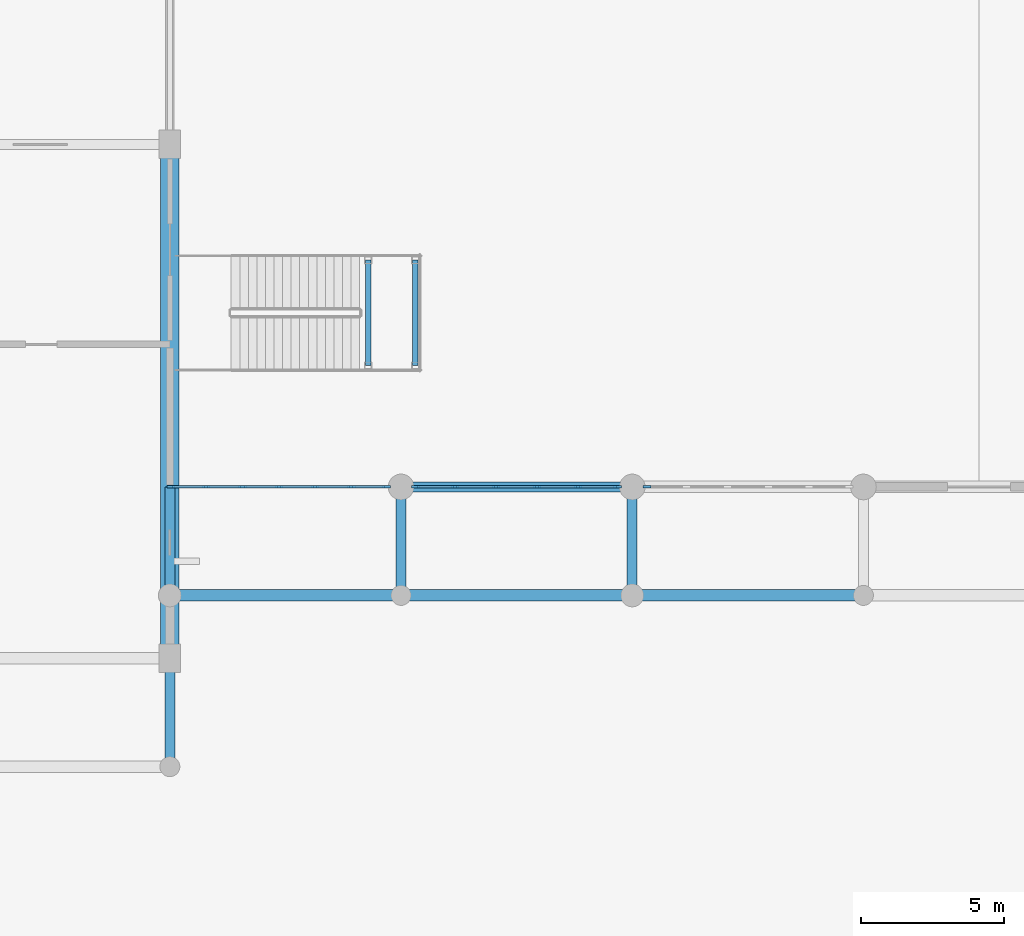
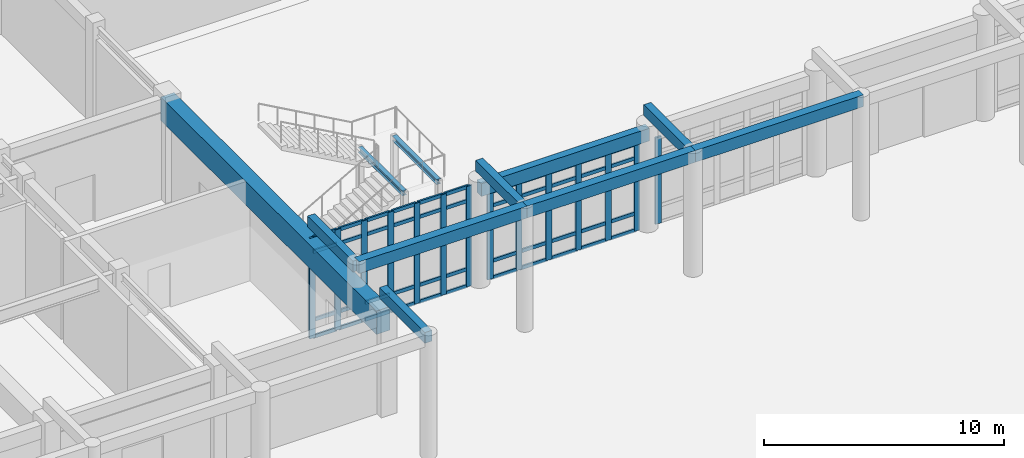
# One storey, part 7 of 62: 58 members, 11 beams, 3 elements without a shape of their own.
"""IFC4 building model written with IfcOpenShell, lengths in metres."""

from ifc_helpers import new_model, si_unit, direction, frame, origin, origin_2d, place, context, subcontext, project, spatial, rectangle, i_section, extrude, material, material_profile, profile_set, type_object, element, aggregate, save


model = new_model("IFC4")

# Units and contexts
model_context = context("Model", 3, precision=1e-05, world=origin(), true_north=direction((0.0, 1.0)))
body_context = subcontext(model_context, "Body", "Model", "MODEL_VIEW")
ifc_project = project(units=[si_unit("LENGTHUNIT", "METRE"), si_unit("AREAUNIT", "SQUARE_METRE"), si_unit("VOLUMEUNIT", "CUBIC_METRE"), si_unit("PLANEANGLEUNIT", "RADIAN"), si_unit("MASSUNIT", "GRAM", prefix="KILO")], contexts=[model_context])

# Site, building, storey
site_placement = place(None, origin())
site = spatial("IfcSite", under=ifc_project, at=site_placement, CompositionType="ELEMENT")
building_placement = place(site_placement, origin())
building = spatial("IfcBuilding", under=site, at=building_placement, Name="Tarnveldt Square Police Headquarters", CompositionType="ELEMENT")
storey_placement = place(building_placement, origin())
storey = spatial("IfcBuildingStorey", under=building, at=storey_placement, Name="L00", CompositionType="ELEMENT", Elevation=0.0)

# Beams
ifc_material_1 = material(Name="Concrete 40 MPa", Category="concrete")
ifc_material_profile_1 = material_profile(ifc_material_1, rectangle(XDim=0.35009765625, YDim=0.550048828125, at=origin_2d()), Name="RC-B350x550")
ifc_profile_set_1 = profile_set([ifc_material_profile_1], Name="Concrete 40 MPa")
beam_type_1 = type_object("IfcBeamType", Name="BM-RC350x550", PredefinedType="BEAM", material=ifc_profile_set_1)
for number, where, z_axis, x_axis, name in (
    (1, (64.800048828125, 12.199951171875, 6.0), (0.0, 1.0, 0.0), (-1.0, 0.0, 0.0), "Colonnade Tie Beam SW-8"),
    (2, (64.800048828125, 18.199951171875, 6.0), (0.0, 1.0, 0.0), (-1.0, 0.0, 0.0), "Colonnade Tie Beam MH-8"),
    (3, (72.89990234375, 18.199951171875, 6.0), (0.0, 1.0, 0.0), (-1.0, 0.0, 0.0), "Colonnade Tie Beam MH-9"),
    (4, (81.0, 18.199951171875, 6.0), (0.0, 1.0, 0.0), (-1.0, 0.0, 0.0), "Colonnade Tie Beam MH-10"),
):
    element("IfcBeam", number, at=place(storey_placement, frame(where, z_axis=z_axis, x_axis=x_axis)), inside=storey, type_object=beam_type_1, Name=name, PredefinedType="BEAM", context=body_context, shape_type="SweptSolid", body=[
        extrude(rectangle(XDim=0.35009765625, YDim=0.550048828125, at=origin_2d()), origin(), (0.0, 0.0, 1.0), 3.800048828125),
    ])
ifc_material_profile_2 = material_profile(ifc_material_1, rectangle(XDim=0.39990234375, YDim=0.60009765625, at=origin_2d()), Name="RC-B400x600")
ifc_profile_set_2 = profile_set([ifc_material_profile_2], Name="Concrete 40 MPa")
beam_type_2 = type_object("IfcBeamType", Name="BM-RC400x600", PredefinedType="BEAM", material=ifc_profile_set_2)
beam_1_placement = place(storey_placement, frame((64.800048828125, 18.199951171875, 6.0), z_axis=(1.0, 0.0, 0.0), x_axis=(0.0, 1.0, 0.0)))
element("IfcBeam", 5, at=beam_1_placement, inside=storey, type_object=beam_type_2, Name="Colonnade Header Beam MH-8", PredefinedType="BEAM", context=body_context, shape_type="SweptSolid", body=[
    extrude(rectangle(XDim=0.39990234375, YDim=0.60009765625, at=origin_2d()), origin(), (0.0, 0.0, 1.0), 8.099853515625),
])
for number, where, z_axis, x_axis, name in (
    (6, (72.89990234375, 18.199951171875, 6.0), (1.0, 0.0, 0.0), (0.0, 1.0, 0.0), "Colonnade Header Beam MH-9"),
    (7, (81.0, 18.199951171875, 6.0), (1.0, 0.0, 0.0), (0.0, 1.0, 0.0), "Colonnade Header Beam MH-10"),
):
    element("IfcBeam", number, at=place(storey_placement, frame(where, z_axis=z_axis, x_axis=x_axis)), inside=storey, type_object=beam_type_2, Name=name, PredefinedType="BEAM", context=body_context, shape_type="SweptSolid", body=[
        extrude(rectangle(XDim=0.39990234375, YDim=0.60009765625, at=origin_2d()), origin(), (0.0, 0.0, 1.0), 8.10009765625),
    ])
ifc_material_2 = material(Name="Concrete 50 MPa", Category="concrete")
ifc_material_profile_3 = material_profile(ifc_material_2, rectangle(XDim=0.64990234375, YDim=1.199951171875, at=origin_2d()), Name="RC-B650x1200")
ifc_profile_set_3 = profile_set([ifc_material_profile_3], Name="Concrete 50 MPa")
beam_type_3 = type_object("IfcBeamType", Name="BM-RC650x1200", PredefinedType="BEAM", material=ifc_profile_set_3)
beam_2_placement = place(storey_placement, frame((64.800048828125, 16.0, 4.52001953125), z_axis=(0.0, 1.0, 0.0), x_axis=(-1.0, 0.0, 0.0)))
element("IfcBeam", 8, at=beam_2_placement, inside=storey, type_object=beam_type_3, Name="L01 Grid Girder Y-0399", PredefinedType="BEAM", context=body_context, shape_type="SweptSolid", body=[
    extrude(rectangle(XDim=0.64990234375, YDim=1.199951171875, at=origin_2d()), origin(), (0.0, 0.0, 1.0), 18.0),
])
ifc_material_profile_4 = material_profile(ifc_material_1, rectangle(XDim=0.35009765625, YDim=0.64990234375, at=origin_2d()), Name="RC-SP350x650")
ifc_profile_set_4 = profile_set([ifc_material_profile_4], Name="Concrete 40 MPa")
beam_type_4 = type_object("IfcBeamType", Name="BM-SP350x650", PredefinedType="SPANDREL", material=ifc_profile_set_4)
beam_3_placement = place(storey_placement, frame((72.89990234375, 22.0, 4.794921875), z_axis=(1.0, 0.0, 0.0), x_axis=(0.0, 1.0, 0.0)))
element("IfcBeam", 9, at=beam_3_placement, inside=storey, type_object=beam_type_4, Name="L01 Grid Girder X-0238", PredefinedType="SPANDREL", context=body_context, shape_type="SweptSolid", body=[
    extrude(rectangle(XDim=0.35009765625, YDim=0.64990234375, at=origin_2d()), origin(), (0.0, 0.0, 1.0), 8.10009765625),
])
ifc_material_3 = material(Name="Steel 350W", Category="steel")
ifc_material_profile_5 = material_profile(ifc_material_3, i_section(OverallWidth=0.202880859375, OverallDepth=0.251953125, WebThickness=0.008056640625, FlangeThickness=0.013427734375, FilletRadius=0.012939453125, at=origin_2d()), Name="W250x58")
ifc_profile_set_5 = profile_set([ifc_material_profile_5], Name="Steel 350W")
beam_type_5 = type_object("IfcBeamType", Name="BM-W250x58", PredefinedType="BEAM", material=ifc_profile_set_5)
for number, where, z_axis, x_axis, name in (
    (10, (73.39990234375, 26.25, 2.3740234375), (0.0, 1.0, 0.0), (-1.0, 0.0, 0.0), "Monumental Stair ST5 East Landing Beam"),
    (11, (71.75, 26.25, 2.3740234375), (0.0, 1.0, 0.0), (-1.0, 0.0, 0.0), "Monumental Stair ST5 West Landing Beam"),
):
    element("IfcBeam", number, at=place(storey_placement, frame(where, z_axis=z_axis, x_axis=x_axis)), inside=storey, type_object=beam_type_5, Name=name, PredefinedType="BEAM", context=body_context, shape_type="SweptSolid", body=[
        extrude(i_section(OverallWidth=0.202880859375, OverallDepth=0.251953125, WebThickness=0.008056640625, FlangeThickness=0.013427734375, FilletRadius=0.012939453125, at=origin_2d()), origin(), (0.0, 0.0, 1.0), 3.699951171875),
    ])

# Curtain wall, members
ifc_material_4 = material(Name="Triple-glazed low-e laminated vision glass", Category="glass")
curtain_wall_type_1 = type_object("IfcCurtainWallType", Name="CW-EH-764x512", PredefinedType="USERDEFINED", material=ifc_material_4)
curtain_wall_1_placement = place(storey_placement, origin())
curtain_wall_1 = element("IfcCurtainWall", 12, at=curtain_wall_1_placement, inside=storey, type_object=curtain_wall_type_1, Name="L00 Curtain Wall CW-L00-001", ObjectType="GLAZED CURTAIN WALL", PredefinedType="USERDEFINED")
ifc_material_5 = material(Name="Thermally broken anodised aluminium 6063-T6", Category="aluminium")
ifc_material_profile_6 = material_profile(ifc_material_5, rectangle(XDim=0.090087890625, YDim=0.280029296875, at=origin_2d()), Name="CW-M90x280")
ifc_profile_set_6 = profile_set([ifc_material_profile_6], Name="Thermally broken anodised aluminium 6063-T6")
member_type_1 = type_object("IfcMemberType", Name="CWM-90x280", PredefinedType="MULLION", material=ifc_profile_set_6)
member_1_placement = place(storey_placement, frame((64.844970703125, 22.0, 0.0), z_axis=(0.0, 0.0, 1.0), x_axis=(0.0, 1.0, 0.0)))
member_1 = element("IfcMember", 13, at=member_1_placement, type_object=member_type_1, Name="CW-EH01 mullion 1", PredefinedType="MULLION", context=body_context, shape_type="SweptSolid", body=[
    extrude(rectangle(XDim=0.090087890625, YDim=0.280029296875, at=origin_2d()), origin(), (0.0, 0.0, 1.0), 5.1201171875),
])
member_2_placement = place(storey_placement, frame((66.072509765625, 22.0, 0.0), z_axis=(0.0, 0.0, 1.0), x_axis=(0.0, 1.0, 0.0)))
member_2 = element("IfcMember", 14, at=member_2_placement, type_object=member_type_1, Name="CW-EH01 mullion 2", PredefinedType="MULLION", context=body_context, shape_type="SweptSolid", body=[
    extrude(rectangle(XDim=0.090087890625, YDim=0.280029296875, at=origin_2d()), origin(), (0.0, 0.0, 1.0), 5.1201171875),
])
member_3_placement = place(storey_placement, frame((67.344970703125, 22.0, 0.0), z_axis=(0.0, 0.0, 1.0), x_axis=(0.0, 1.0, 0.0)))
member_3 = element("IfcMember", 15, at=member_3_placement, type_object=member_type_1, Name="CW-EH01 mullion 3", PredefinedType="MULLION", context=body_context, shape_type="SweptSolid", body=[
    extrude(rectangle(XDim=0.090087890625, YDim=0.280029296875, at=origin_2d()), origin(), (0.0, 0.0, 1.0), 5.1201171875),
])
member_4_placement = place(storey_placement, frame((68.617431640625, 22.0, 0.0), z_axis=(0.0, 0.0, 1.0), x_axis=(0.0, 1.0, 0.0)))
member_4 = element("IfcMember", 16, at=member_4_placement, type_object=member_type_1, Name="CW-EH01 mullion 4", PredefinedType="MULLION", context=body_context, shape_type="SweptSolid", body=[
    extrude(rectangle(XDim=0.090087890625, YDim=0.280029296875, at=origin_2d()), origin(), (0.0, 0.0, 1.0), 5.1201171875),
])
member_5_placement = place(storey_placement, frame((69.889892578125, 22.0, 0.0), z_axis=(0.0, 0.0, 1.0), x_axis=(0.0, 1.0, 0.0)))
member_5 = element("IfcMember", 17, at=member_5_placement, type_object=member_type_1, Name="CW-EH01 mullion 5", PredefinedType="MULLION", context=body_context, shape_type="SweptSolid", body=[
    extrude(rectangle(XDim=0.090087890625, YDim=0.280029296875, at=origin_2d()), origin(), (0.0, 0.0, 1.0), 5.1201171875),
])
member_6_placement = place(storey_placement, frame((71.16259765625, 22.0, 0.0), z_axis=(0.0, 0.0, 1.0), x_axis=(0.0, 1.0, 0.0)))
member_6 = element("IfcMember", 18, at=member_6_placement, type_object=member_type_1, Name="CW-EH01 mullion 6", PredefinedType="MULLION", context=body_context, shape_type="SweptSolid", body=[
    extrude(rectangle(XDim=0.090087890625, YDim=0.280029296875, at=origin_2d()), origin(), (0.0, 0.0, 1.0), 5.1201171875),
])
member_7_placement = place(storey_placement, frame((72.389892578125, 22.0, 0.0), z_axis=(0.0, 0.0, 1.0), x_axis=(0.0, 1.0, 0.0)))
member_7 = element("IfcMember", 19, at=member_7_placement, type_object=member_type_1, Name="CW-EH01 mullion 7", PredefinedType="MULLION", context=body_context, shape_type="SweptSolid", body=[
    extrude(rectangle(XDim=0.090087890625, YDim=0.280029296875, at=origin_2d()), origin(), (0.0, 0.0, 1.0), 5.1201171875),
])

curtain_wall_type_2 = type_object("IfcCurtainWallType", Name="CW-EH-717x446", PredefinedType="USERDEFINED", material=ifc_material_4)
curtain_wall_2_placement = place(storey_placement, origin())
curtain_wall_2 = element("IfcCurtainWall", 20, at=curtain_wall_2_placement, inside=storey, type_object=curtain_wall_type_2, Name="L00 Curtain Wall CW-L00-002", ObjectType="GLAZED CURTAIN WALL", PredefinedType="USERDEFINED")
member_8_placement = place(storey_placement, frame((73.409912109375, 22.0, 0.0), z_axis=(0.0, 0.0, 1.0), x_axis=(0.0, 1.0, 0.0)))
member_8 = element("IfcMember", 21, at=member_8_placement, type_object=member_type_1, Name="CW-EH02 mullion 1", PredefinedType="MULLION", context=body_context, shape_type="SweptSolid", body=[
    extrude(rectangle(XDim=0.090087890625, YDim=0.280029296875, at=origin_2d()), origin(), (0.0, 0.0, 1.0), 4.4619140625),
])
member_9_placement = place(storey_placement, frame((74.799072265625, 22.0, 0.0), z_axis=(0.0, 0.0, 1.0), x_axis=(0.0, 1.0, 0.0)))
member_9 = element("IfcMember", 22, at=member_9_placement, type_object=member_type_1, Name="CW-EH02 mullion 2", PredefinedType="MULLION", context=body_context, shape_type="SweptSolid", body=[
    extrude(rectangle(XDim=0.090087890625, YDim=0.280029296875, at=origin_2d()), origin(), (0.0, 0.0, 1.0), 4.4619140625),
])
member_10_placement = place(storey_placement, frame((76.23291015625, 22.0, 0.0), z_axis=(0.0, 0.0, 1.0), x_axis=(0.0, 1.0, 0.0)))
member_10 = element("IfcMember", 23, at=member_10_placement, type_object=member_type_1, Name="CW-EH02 mullion 3", PredefinedType="MULLION", context=body_context, shape_type="SweptSolid", body=[
    extrude(rectangle(XDim=0.090087890625, YDim=0.280029296875, at=origin_2d()), origin(), (0.0, 0.0, 1.0), 4.4619140625),
])
member_11_placement = place(storey_placement, frame((77.6669921875, 22.0, 0.0), z_axis=(0.0, 0.0, 1.0), x_axis=(0.0, 1.0, 0.0)))
member_11 = element("IfcMember", 24, at=member_11_placement, type_object=member_type_1, Name="CW-EH02 mullion 4", PredefinedType="MULLION", context=body_context, shape_type="SweptSolid", body=[
    extrude(rectangle(XDim=0.090087890625, YDim=0.280029296875, at=origin_2d()), origin(), (0.0, 0.0, 1.0), 4.4619140625),
])
member_12_placement = place(storey_placement, frame((79.10107421875, 22.0, 0.0), z_axis=(0.0, 0.0, 1.0), x_axis=(0.0, 1.0, 0.0)))
member_12 = element("IfcMember", 25, at=member_12_placement, type_object=member_type_1, Name="CW-EH02 mullion 5", PredefinedType="MULLION", context=body_context, shape_type="SweptSolid", body=[
    extrude(rectangle(XDim=0.090087890625, YDim=0.280029296875, at=origin_2d()), origin(), (0.0, 0.0, 1.0), 4.4619140625),
])
member_13_placement = place(storey_placement, frame((80.489990234375, 22.0, 0.0), z_axis=(0.0, 0.0, 1.0), x_axis=(0.0, 1.0, 0.0)))
member_13 = element("IfcMember", 26, at=member_13_placement, type_object=member_type_1, Name="CW-EH02 mullion 6", PredefinedType="MULLION", context=body_context, shape_type="SweptSolid", body=[
    extrude(rectangle(XDim=0.090087890625, YDim=0.280029296875, at=origin_2d()), origin(), (0.0, 0.0, 1.0), 4.4619140625),
])

# Curtain wall, member
curtain_wall_type_3 = type_object("IfcCurtainWallType", Name="CW-EH-717x441", PredefinedType="USERDEFINED", material=ifc_material_4)
curtain_wall_3_placement = place(storey_placement, origin())
curtain_wall_3 = element("IfcCurtainWall", 27, at=curtain_wall_3_placement, inside=storey, type_object=curtain_wall_type_3, Name="L00 Curtain Wall CW-L00-003", ObjectType="GLAZED CURTAIN WALL", PredefinedType="USERDEFINED")
member_14_placement = place(storey_placement, frame((81.510009765625, 22.0, 0.0), z_axis=(0.0, 0.0, 1.0), x_axis=(0.0, 1.0, 0.0)))
member_14 = element("IfcMember", 28, at=member_14_placement, type_object=member_type_1, Name="CW-EH03 mullion 1", PredefinedType="MULLION", context=body_context, shape_type="SweptSolid", body=[
    extrude(rectangle(XDim=0.090087890625, YDim=0.280029296875, at=origin_2d()), origin(), (0.0, 0.0, 1.0), 4.412109375),
])
aggregate(curtain_wall_3, [member_14])

# Member
ifc_material_profile_7 = material_profile(ifc_material_5, rectangle(XDim=0.0849609375, YDim=0.179931640625, at=origin_2d()), Name="CW-T85x180")
ifc_profile_set_7 = profile_set([ifc_material_profile_7], Name="Thermally broken anodised aluminium 6063-T6")
member_type_2 = type_object("IfcMemberType", Name="CWT-85x180", PredefinedType="USERDEFINED", material=ifc_profile_set_7)
member_15_placement = place(storey_placement, frame((64.889892578125, 22.0, 0.04248046875), z_axis=(1.0, 0.0, 0.0), x_axis=(0.0, 1.0, 0.0)))
member_15 = element("IfcMember", 29, at=member_15_placement, type_object=member_type_2, Name="CW-EH01 transom 1.1", ObjectType="TRANSOM", PredefinedType="USERDEFINED", context=body_context, shape_type="SweptSolid", body=[
    extrude(rectangle(XDim=0.0849609375, YDim=0.179931640625, at=origin_2d()), origin(), (0.0, 0.0, 1.0), 1.1376953125),
])

member_16_placement = place(storey_placement, frame((64.889892578125, 22.0, 0.89990234375), z_axis=(1.0, 0.0, 0.0), x_axis=(0.0, 1.0, 0.0)))
member_16 = element("IfcMember", 30, at=member_16_placement, type_object=member_type_2, Name="CW-EH01 transom 1.2", ObjectType="TRANSOM", PredefinedType="USERDEFINED", context=body_context, shape_type="SweptSolid", body=[
    extrude(rectangle(XDim=0.0849609375, YDim=0.179931640625, at=origin_2d()), origin(), (0.0, 0.0, 1.0), 1.1376953125),
])

member_17_placement = place(storey_placement, frame((64.889892578125, 22.0, 4.3701171875), z_axis=(1.0, 0.0, 0.0), x_axis=(0.0, 1.0, 0.0)))
member_17 = element("IfcMember", 31, at=member_17_placement, type_object=member_type_2, Name="CW-EH01 transom 1.3", ObjectType="TRANSOM", PredefinedType="USERDEFINED", context=body_context, shape_type="SweptSolid", body=[
    extrude(rectangle(XDim=0.0849609375, YDim=0.179931640625, at=origin_2d()), origin(), (0.0, 0.0, 1.0), 1.1376953125),
])

member_18_placement = place(storey_placement, frame((64.889892578125, 22.0, 5.077392578125), z_axis=(1.0, 0.0, 0.0), x_axis=(0.0, 1.0, 0.0)))
member_18 = element("IfcMember", 32, at=member_18_placement, type_object=member_type_2, Name="CW-EH01 transom 1.4", ObjectType="TRANSOM", PredefinedType="USERDEFINED", context=body_context, shape_type="SweptSolid", body=[
    extrude(rectangle(XDim=0.0849609375, YDim=0.179931640625, at=origin_2d()), origin(), (0.0, 0.0, 1.0), 1.1376953125),
])

member_19_placement = place(storey_placement, frame((66.117431640625, 22.0, 0.04248046875), z_axis=(1.0, 0.0, 0.0), x_axis=(0.0, 1.0, 0.0)))
member_19 = element("IfcMember", 33, at=member_19_placement, type_object=member_type_2, Name="CW-EH01 transom 2.1", ObjectType="TRANSOM", PredefinedType="USERDEFINED", context=body_context, shape_type="SweptSolid", body=[
    extrude(rectangle(XDim=0.0849609375, YDim=0.179931640625, at=origin_2d()), origin(), (0.0, 0.0, 1.0), 1.1826171875),
])

member_20_placement = place(storey_placement, frame((66.117431640625, 22.0, 0.89990234375), z_axis=(1.0, 0.0, 0.0), x_axis=(0.0, 1.0, 0.0)))
member_20 = element("IfcMember", 34, at=member_20_placement, type_object=member_type_2, Name="CW-EH01 transom 2.2", ObjectType="TRANSOM", PredefinedType="USERDEFINED", context=body_context, shape_type="SweptSolid", body=[
    extrude(rectangle(XDim=0.0849609375, YDim=0.179931640625, at=origin_2d()), origin(), (0.0, 0.0, 1.0), 1.1826171875),
])

member_21_placement = place(storey_placement, frame((66.117431640625, 22.0, 4.3701171875), z_axis=(1.0, 0.0, 0.0), x_axis=(0.0, 1.0, 0.0)))
member_21 = element("IfcMember", 35, at=member_21_placement, type_object=member_type_2, Name="CW-EH01 transom 2.3", ObjectType="TRANSOM", PredefinedType="USERDEFINED", context=body_context, shape_type="SweptSolid", body=[
    extrude(rectangle(XDim=0.0849609375, YDim=0.179931640625, at=origin_2d()), origin(), (0.0, 0.0, 1.0), 1.1826171875),
])

member_22_placement = place(storey_placement, frame((66.117431640625, 22.0, 5.077392578125), z_axis=(1.0, 0.0, 0.0), x_axis=(0.0, 1.0, 0.0)))
member_22 = element("IfcMember", 36, at=member_22_placement, type_object=member_type_2, Name="CW-EH01 transom 2.4", ObjectType="TRANSOM", PredefinedType="USERDEFINED", context=body_context, shape_type="SweptSolid", body=[
    extrude(rectangle(XDim=0.0849609375, YDim=0.179931640625, at=origin_2d()), origin(), (0.0, 0.0, 1.0), 1.1826171875),
])

member_23_placement = place(storey_placement, frame((67.389892578125, 22.0, 0.04248046875), z_axis=(1.0, 0.0, 0.0), x_axis=(0.0, 1.0, 0.0)))
member_23 = element("IfcMember", 37, at=member_23_placement, type_object=member_type_2, Name="CW-EH01 transom 3.1", ObjectType="TRANSOM", PredefinedType="USERDEFINED", context=body_context, shape_type="SweptSolid", body=[
    extrude(rectangle(XDim=0.0849609375, YDim=0.179931640625, at=origin_2d()), origin(), (0.0, 0.0, 1.0), 1.1826171875),
])

member_24_placement = place(storey_placement, frame((67.389892578125, 22.0, 0.89990234375), z_axis=(1.0, 0.0, 0.0), x_axis=(0.0, 1.0, 0.0)))
member_24 = element("IfcMember", 38, at=member_24_placement, type_object=member_type_2, Name="CW-EH01 transom 3.2", ObjectType="TRANSOM", PredefinedType="USERDEFINED", context=body_context, shape_type="SweptSolid", body=[
    extrude(rectangle(XDim=0.0849609375, YDim=0.179931640625, at=origin_2d()), origin(), (0.0, 0.0, 1.0), 1.1826171875),
])

member_25_placement = place(storey_placement, frame((67.389892578125, 22.0, 4.3701171875), z_axis=(1.0, 0.0, 0.0), x_axis=(0.0, 1.0, 0.0)))
member_25 = element("IfcMember", 39, at=member_25_placement, type_object=member_type_2, Name="CW-EH01 transom 3.3", ObjectType="TRANSOM", PredefinedType="USERDEFINED", context=body_context, shape_type="SweptSolid", body=[
    extrude(rectangle(XDim=0.0849609375, YDim=0.179931640625, at=origin_2d()), origin(), (0.0, 0.0, 1.0), 1.1826171875),
])

member_26_placement = place(storey_placement, frame((67.389892578125, 22.0, 5.077392578125), z_axis=(1.0, 0.0, 0.0), x_axis=(0.0, 1.0, 0.0)))
member_26 = element("IfcMember", 40, at=member_26_placement, type_object=member_type_2, Name="CW-EH01 transom 3.4", ObjectType="TRANSOM", PredefinedType="USERDEFINED", context=body_context, shape_type="SweptSolid", body=[
    extrude(rectangle(XDim=0.0849609375, YDim=0.179931640625, at=origin_2d()), origin(), (0.0, 0.0, 1.0), 1.1826171875),
])

member_27_placement = place(storey_placement, frame((68.66259765625, 22.0, 0.04248046875), z_axis=(1.0, 0.0, 0.0), x_axis=(0.0, 1.0, 0.0)))
member_27 = element("IfcMember", 41, at=member_27_placement, type_object=member_type_2, Name="CW-EH01 transom 4.1", ObjectType="TRANSOM", PredefinedType="USERDEFINED", context=body_context, shape_type="SweptSolid", body=[
    extrude(rectangle(XDim=0.0849609375, YDim=0.179931640625, at=origin_2d()), origin(), (0.0, 0.0, 1.0), 1.182373046875),
])

member_28_placement = place(storey_placement, frame((68.66259765625, 22.0, 0.89990234375), z_axis=(1.0, 0.0, 0.0), x_axis=(0.0, 1.0, 0.0)))
member_28 = element("IfcMember", 42, at=member_28_placement, type_object=member_type_2, Name="CW-EH01 transom 4.2", ObjectType="TRANSOM", PredefinedType="USERDEFINED", context=body_context, shape_type="SweptSolid", body=[
    extrude(rectangle(XDim=0.0849609375, YDim=0.179931640625, at=origin_2d()), origin(), (0.0, 0.0, 1.0), 1.182373046875),
])

member_29_placement = place(storey_placement, frame((68.66259765625, 22.0, 4.3701171875), z_axis=(1.0, 0.0, 0.0), x_axis=(0.0, 1.0, 0.0)))
member_29 = element("IfcMember", 43, at=member_29_placement, type_object=member_type_2, Name="CW-EH01 transom 4.3", ObjectType="TRANSOM", PredefinedType="USERDEFINED", context=body_context, shape_type="SweptSolid", body=[
    extrude(rectangle(XDim=0.0849609375, YDim=0.179931640625, at=origin_2d()), origin(), (0.0, 0.0, 1.0), 1.182373046875),
])

member_30_placement = place(storey_placement, frame((68.66259765625, 22.0, 5.077392578125), z_axis=(1.0, 0.0, 0.0), x_axis=(0.0, 1.0, 0.0)))
member_30 = element("IfcMember", 44, at=member_30_placement, type_object=member_type_2, Name="CW-EH01 transom 4.4", ObjectType="TRANSOM", PredefinedType="USERDEFINED", context=body_context, shape_type="SweptSolid", body=[
    extrude(rectangle(XDim=0.0849609375, YDim=0.179931640625, at=origin_2d()), origin(), (0.0, 0.0, 1.0), 1.182373046875),
])

member_31_placement = place(storey_placement, frame((69.93505859375, 22.0, 0.04248046875), z_axis=(1.0, 0.0, 0.0), x_axis=(0.0, 1.0, 0.0)))
member_31 = element("IfcMember", 45, at=member_31_placement, type_object=member_type_2, Name="CW-EH01 transom 5.1", ObjectType="TRANSOM", PredefinedType="USERDEFINED", context=body_context, shape_type="SweptSolid", body=[
    extrude(rectangle(XDim=0.0849609375, YDim=0.179931640625, at=origin_2d()), origin(), (0.0, 0.0, 1.0), 1.182373046875),
])

member_32_placement = place(storey_placement, frame((69.93505859375, 22.0, 0.89990234375), z_axis=(1.0, 0.0, 0.0), x_axis=(0.0, 1.0, 0.0)))
member_32 = element("IfcMember", 46, at=member_32_placement, type_object=member_type_2, Name="CW-EH01 transom 5.2", ObjectType="TRANSOM", PredefinedType="USERDEFINED", context=body_context, shape_type="SweptSolid", body=[
    extrude(rectangle(XDim=0.0849609375, YDim=0.179931640625, at=origin_2d()), origin(), (0.0, 0.0, 1.0), 1.182373046875),
])

member_33_placement = place(storey_placement, frame((69.93505859375, 22.0, 4.3701171875), z_axis=(1.0, 0.0, 0.0), x_axis=(0.0, 1.0, 0.0)))
member_33 = element("IfcMember", 47, at=member_33_placement, type_object=member_type_2, Name="CW-EH01 transom 5.3", ObjectType="TRANSOM", PredefinedType="USERDEFINED", context=body_context, shape_type="SweptSolid", body=[
    extrude(rectangle(XDim=0.0849609375, YDim=0.179931640625, at=origin_2d()), origin(), (0.0, 0.0, 1.0), 1.182373046875),
])

member_34_placement = place(storey_placement, frame((69.93505859375, 22.0, 5.077392578125), z_axis=(1.0, 0.0, 0.0), x_axis=(0.0, 1.0, 0.0)))
member_34 = element("IfcMember", 48, at=member_34_placement, type_object=member_type_2, Name="CW-EH01 transom 5.4", ObjectType="TRANSOM", PredefinedType="USERDEFINED", context=body_context, shape_type="SweptSolid", body=[
    extrude(rectangle(XDim=0.0849609375, YDim=0.179931640625, at=origin_2d()), origin(), (0.0, 0.0, 1.0), 1.182373046875),
])

member_35_placement = place(storey_placement, frame((71.20751953125, 22.0, 0.04248046875), z_axis=(1.0, 0.0, 0.0), x_axis=(0.0, 1.0, 0.0)))
member_35 = element("IfcMember", 49, at=member_35_placement, type_object=member_type_2, Name="CW-EH01 transom 6.1", ObjectType="TRANSOM", PredefinedType="USERDEFINED", context=body_context, shape_type="SweptSolid", body=[
    extrude(rectangle(XDim=0.0849609375, YDim=0.179931640625, at=origin_2d()), origin(), (0.0, 0.0, 1.0), 1.137451171875),
])

member_36_placement = place(storey_placement, frame((71.20751953125, 22.0, 0.89990234375), z_axis=(1.0, 0.0, 0.0), x_axis=(0.0, 1.0, 0.0)))
member_36 = element("IfcMember", 50, at=member_36_placement, type_object=member_type_2, Name="CW-EH01 transom 6.2", ObjectType="TRANSOM", PredefinedType="USERDEFINED", context=body_context, shape_type="SweptSolid", body=[
    extrude(rectangle(XDim=0.0849609375, YDim=0.179931640625, at=origin_2d()), origin(), (0.0, 0.0, 1.0), 1.137451171875),
])

member_37_placement = place(storey_placement, frame((71.20751953125, 22.0, 4.3701171875), z_axis=(1.0, 0.0, 0.0), x_axis=(0.0, 1.0, 0.0)))
member_37 = element("IfcMember", 51, at=member_37_placement, type_object=member_type_2, Name="CW-EH01 transom 6.3", ObjectType="TRANSOM", PredefinedType="USERDEFINED", context=body_context, shape_type="SweptSolid", body=[
    extrude(rectangle(XDim=0.0849609375, YDim=0.179931640625, at=origin_2d()), origin(), (0.0, 0.0, 1.0), 1.137451171875),
])

member_38_placement = place(storey_placement, frame((71.20751953125, 22.0, 5.077392578125), z_axis=(1.0, 0.0, 0.0), x_axis=(0.0, 1.0, 0.0)))
member_38 = element("IfcMember", 52, at=member_38_placement, type_object=member_type_2, Name="CW-EH01 transom 6.4", ObjectType="TRANSOM", PredefinedType="USERDEFINED", context=body_context, shape_type="SweptSolid", body=[
    extrude(rectangle(XDim=0.0849609375, YDim=0.179931640625, at=origin_2d()), origin(), (0.0, 0.0, 1.0), 1.137451171875),
])

aggregate(curtain_wall_1, [member_1, member_2, member_3, member_4, member_5, member_6, member_7, member_15, member_16, member_17, member_18, member_19, member_20, member_21, member_22, member_23, member_24, member_25, member_26, member_27, member_28, member_29, member_30, member_31, member_32, member_33, member_34, member_35, member_36, member_37, member_38])

member_39_placement = place(storey_placement, frame((73.455078125, 22.0, 0.04248046875), z_axis=(1.0, 0.0, 0.0), x_axis=(0.0, 1.0, 0.0)))
member_39 = element("IfcMember", 53, at=member_39_placement, type_object=member_type_2, Name="CW-EH02 transom 1.1", ObjectType="TRANSOM", PredefinedType="USERDEFINED", context=body_context, shape_type="SweptSolid", body=[
    extrude(rectangle(XDim=0.0849609375, YDim=0.179931640625, at=origin_2d()), origin(), (0.0, 0.0, 1.0), 1.298828125),
])

member_40_placement = place(storey_placement, frame((73.455078125, 22.0, 0.89990234375), z_axis=(1.0, 0.0, 0.0), x_axis=(0.0, 1.0, 0.0)))
member_40 = element("IfcMember", 54, at=member_40_placement, type_object=member_type_2, Name="CW-EH02 transom 1.2", ObjectType="TRANSOM", PredefinedType="USERDEFINED", context=body_context, shape_type="SweptSolid", body=[
    extrude(rectangle(XDim=0.0849609375, YDim=0.179931640625, at=origin_2d()), origin(), (0.0, 0.0, 1.0), 1.298828125),
])

member_41_placement = place(storey_placement, frame((73.455078125, 22.0, 3.7119140625), z_axis=(1.0, 0.0, 0.0), x_axis=(0.0, 1.0, 0.0)))
member_41 = element("IfcMember", 55, at=member_41_placement, type_object=member_type_2, Name="CW-EH02 transom 1.3", ObjectType="TRANSOM", PredefinedType="USERDEFINED", context=body_context, shape_type="SweptSolid", body=[
    extrude(rectangle(XDim=0.0849609375, YDim=0.179931640625, at=origin_2d()), origin(), (0.0, 0.0, 1.0), 1.298828125),
])

member_42_placement = place(storey_placement, frame((73.455078125, 22.0, 4.41943359375), z_axis=(1.0, 0.0, 0.0), x_axis=(0.0, 1.0, 0.0)))
member_42 = element("IfcMember", 56, at=member_42_placement, type_object=member_type_2, Name="CW-EH02 transom 1.4", ObjectType="TRANSOM", PredefinedType="USERDEFINED", context=body_context, shape_type="SweptSolid", body=[
    extrude(rectangle(XDim=0.0849609375, YDim=0.179931640625, at=origin_2d()), origin(), (0.0, 0.0, 1.0), 1.298828125),
])

member_43_placement = place(storey_placement, frame((74.843994140625, 22.0, 0.04248046875), z_axis=(1.0, 0.0, 0.0), x_axis=(0.0, 1.0, 0.0)))
member_43 = element("IfcMember", 57, at=member_43_placement, type_object=member_type_2, Name="CW-EH02 transom 2.1", ObjectType="TRANSOM", PredefinedType="USERDEFINED", context=body_context, shape_type="SweptSolid", body=[
    extrude(rectangle(XDim=0.0849609375, YDim=0.179931640625, at=origin_2d()), origin(), (0.0, 0.0, 1.0), 1.343994140625),
])

member_44_placement = place(storey_placement, frame((74.843994140625, 22.0, 0.89990234375), z_axis=(1.0, 0.0, 0.0), x_axis=(0.0, 1.0, 0.0)))
member_44 = element("IfcMember", 58, at=member_44_placement, type_object=member_type_2, Name="CW-EH02 transom 2.2", ObjectType="TRANSOM", PredefinedType="USERDEFINED", context=body_context, shape_type="SweptSolid", body=[
    extrude(rectangle(XDim=0.0849609375, YDim=0.179931640625, at=origin_2d()), origin(), (0.0, 0.0, 1.0), 1.343994140625),
])

member_45_placement = place(storey_placement, frame((74.843994140625, 22.0, 3.7119140625), z_axis=(1.0, 0.0, 0.0), x_axis=(0.0, 1.0, 0.0)))
member_45 = element("IfcMember", 59, at=member_45_placement, type_object=member_type_2, Name="CW-EH02 transom 2.3", ObjectType="TRANSOM", PredefinedType="USERDEFINED", context=body_context, shape_type="SweptSolid", body=[
    extrude(rectangle(XDim=0.0849609375, YDim=0.179931640625, at=origin_2d()), origin(), (0.0, 0.0, 1.0), 1.343994140625),
])

member_46_placement = place(storey_placement, frame((74.843994140625, 22.0, 4.41943359375), z_axis=(1.0, 0.0, 0.0), x_axis=(0.0, 1.0, 0.0)))
member_46 = element("IfcMember", 60, at=member_46_placement, type_object=member_type_2, Name="CW-EH02 transom 2.4", ObjectType="TRANSOM", PredefinedType="USERDEFINED", context=body_context, shape_type="SweptSolid", body=[
    extrude(rectangle(XDim=0.0849609375, YDim=0.179931640625, at=origin_2d()), origin(), (0.0, 0.0, 1.0), 1.343994140625),
])

member_47_placement = place(storey_placement, frame((76.278076171875, 22.0, 0.04248046875), z_axis=(1.0, 0.0, 0.0), x_axis=(0.0, 1.0, 0.0)))
member_47 = element("IfcMember", 61, at=member_47_placement, type_object=member_type_2, Name="CW-EH02 transom 3.1", ObjectType="TRANSOM", PredefinedType="USERDEFINED", context=body_context, shape_type="SweptSolid", body=[
    extrude(rectangle(XDim=0.0849609375, YDim=0.179931640625, at=origin_2d()), origin(), (0.0, 0.0, 1.0), 1.343994140625),
])

member_48_placement = place(storey_placement, frame((76.278076171875, 22.0, 0.89990234375), z_axis=(1.0, 0.0, 0.0), x_axis=(0.0, 1.0, 0.0)))
member_48 = element("IfcMember", 62, at=member_48_placement, type_object=member_type_2, Name="CW-EH02 transom 3.2", ObjectType="TRANSOM", PredefinedType="USERDEFINED", context=body_context, shape_type="SweptSolid", body=[
    extrude(rectangle(XDim=0.0849609375, YDim=0.179931640625, at=origin_2d()), origin(), (0.0, 0.0, 1.0), 1.343994140625),
])

member_49_placement = place(storey_placement, frame((76.278076171875, 22.0, 3.7119140625), z_axis=(1.0, 0.0, 0.0), x_axis=(0.0, 1.0, 0.0)))
member_49 = element("IfcMember", 63, at=member_49_placement, type_object=member_type_2, Name="CW-EH02 transom 3.3", ObjectType="TRANSOM", PredefinedType="USERDEFINED", context=body_context, shape_type="SweptSolid", body=[
    extrude(rectangle(XDim=0.0849609375, YDim=0.179931640625, at=origin_2d()), origin(), (0.0, 0.0, 1.0), 1.343994140625),
])

member_50_placement = place(storey_placement, frame((76.278076171875, 22.0, 4.41943359375), z_axis=(1.0, 0.0, 0.0), x_axis=(0.0, 1.0, 0.0)))
member_50 = element("IfcMember", 64, at=member_50_placement, type_object=member_type_2, Name="CW-EH02 transom 3.4", ObjectType="TRANSOM", PredefinedType="USERDEFINED", context=body_context, shape_type="SweptSolid", body=[
    extrude(rectangle(XDim=0.0849609375, YDim=0.179931640625, at=origin_2d()), origin(), (0.0, 0.0, 1.0), 1.343994140625),
])

member_51_placement = place(storey_placement, frame((77.7119140625, 22.0, 0.04248046875), z_axis=(1.0, 0.0, 0.0), x_axis=(0.0, 1.0, 0.0)))
member_51 = element("IfcMember", 65, at=member_51_placement, type_object=member_type_2, Name="CW-EH02 transom 4.1", ObjectType="TRANSOM", PredefinedType="USERDEFINED", context=body_context, shape_type="SweptSolid", body=[
    extrude(rectangle(XDim=0.0849609375, YDim=0.179931640625, at=origin_2d()), origin(), (0.0, 0.0, 1.0), 1.343994140625),
])

member_52_placement = place(storey_placement, frame((77.7119140625, 22.0, 0.89990234375), z_axis=(1.0, 0.0, 0.0), x_axis=(0.0, 1.0, 0.0)))
member_52 = element("IfcMember", 66, at=member_52_placement, type_object=member_type_2, Name="CW-EH02 transom 4.2", ObjectType="TRANSOM", PredefinedType="USERDEFINED", context=body_context, shape_type="SweptSolid", body=[
    extrude(rectangle(XDim=0.0849609375, YDim=0.179931640625, at=origin_2d()), origin(), (0.0, 0.0, 1.0), 1.343994140625),
])

member_53_placement = place(storey_placement, frame((77.7119140625, 22.0, 3.7119140625), z_axis=(1.0, 0.0, 0.0), x_axis=(0.0, 1.0, 0.0)))
member_53 = element("IfcMember", 67, at=member_53_placement, type_object=member_type_2, Name="CW-EH02 transom 4.3", ObjectType="TRANSOM", PredefinedType="USERDEFINED", context=body_context, shape_type="SweptSolid", body=[
    extrude(rectangle(XDim=0.0849609375, YDim=0.179931640625, at=origin_2d()), origin(), (0.0, 0.0, 1.0), 1.343994140625),
])

member_54_placement = place(storey_placement, frame((77.7119140625, 22.0, 4.41943359375), z_axis=(1.0, 0.0, 0.0), x_axis=(0.0, 1.0, 0.0)))
member_54 = element("IfcMember", 68, at=member_54_placement, type_object=member_type_2, Name="CW-EH02 transom 4.4", ObjectType="TRANSOM", PredefinedType="USERDEFINED", context=body_context, shape_type="SweptSolid", body=[
    extrude(rectangle(XDim=0.0849609375, YDim=0.179931640625, at=origin_2d()), origin(), (0.0, 0.0, 1.0), 1.343994140625),
])

member_55_placement = place(storey_placement, frame((79.14599609375, 22.0, 0.04248046875), z_axis=(1.0, 0.0, 0.0), x_axis=(0.0, 1.0, 0.0)))
member_55 = element("IfcMember", 69, at=member_55_placement, type_object=member_type_2, Name="CW-EH02 transom 5.1", ObjectType="TRANSOM", PredefinedType="USERDEFINED", context=body_context, shape_type="SweptSolid", body=[
    extrude(rectangle(XDim=0.0849609375, YDim=0.179931640625, at=origin_2d()), origin(), (0.0, 0.0, 1.0), 1.299072265625),
])

member_56_placement = place(storey_placement, frame((79.14599609375, 22.0, 0.89990234375), z_axis=(1.0, 0.0, 0.0), x_axis=(0.0, 1.0, 0.0)))
member_56 = element("IfcMember", 70, at=member_56_placement, type_object=member_type_2, Name="CW-EH02 transom 5.2", ObjectType="TRANSOM", PredefinedType="USERDEFINED", context=body_context, shape_type="SweptSolid", body=[
    extrude(rectangle(XDim=0.0849609375, YDim=0.179931640625, at=origin_2d()), origin(), (0.0, 0.0, 1.0), 1.299072265625),
])

member_57_placement = place(storey_placement, frame((79.14599609375, 22.0, 3.7119140625), z_axis=(1.0, 0.0, 0.0), x_axis=(0.0, 1.0, 0.0)))
member_57 = element("IfcMember", 71, at=member_57_placement, type_object=member_type_2, Name="CW-EH02 transom 5.3", ObjectType="TRANSOM", PredefinedType="USERDEFINED", context=body_context, shape_type="SweptSolid", body=[
    extrude(rectangle(XDim=0.0849609375, YDim=0.179931640625, at=origin_2d()), origin(), (0.0, 0.0, 1.0), 1.299072265625),
])

member_58_placement = place(storey_placement, frame((79.14599609375, 22.0, 4.41943359375), z_axis=(1.0, 0.0, 0.0), x_axis=(0.0, 1.0, 0.0)))
member_58 = element("IfcMember", 72, at=member_58_placement, type_object=member_type_2, Name="CW-EH02 transom 5.4", ObjectType="TRANSOM", PredefinedType="USERDEFINED", context=body_context, shape_type="SweptSolid", body=[
    extrude(rectangle(XDim=0.0849609375, YDim=0.179931640625, at=origin_2d()), origin(), (0.0, 0.0, 1.0), 1.299072265625),
])

aggregate(curtain_wall_2, [member_8, member_9, member_10, member_11, member_12, member_13, member_39, member_40, member_41, member_42, member_43, member_44, member_45, member_46, member_47, member_48, member_49, member_50, member_51, member_52, member_53, member_54, member_55, member_56, member_57, member_58])

save(model, "model.ifc")
